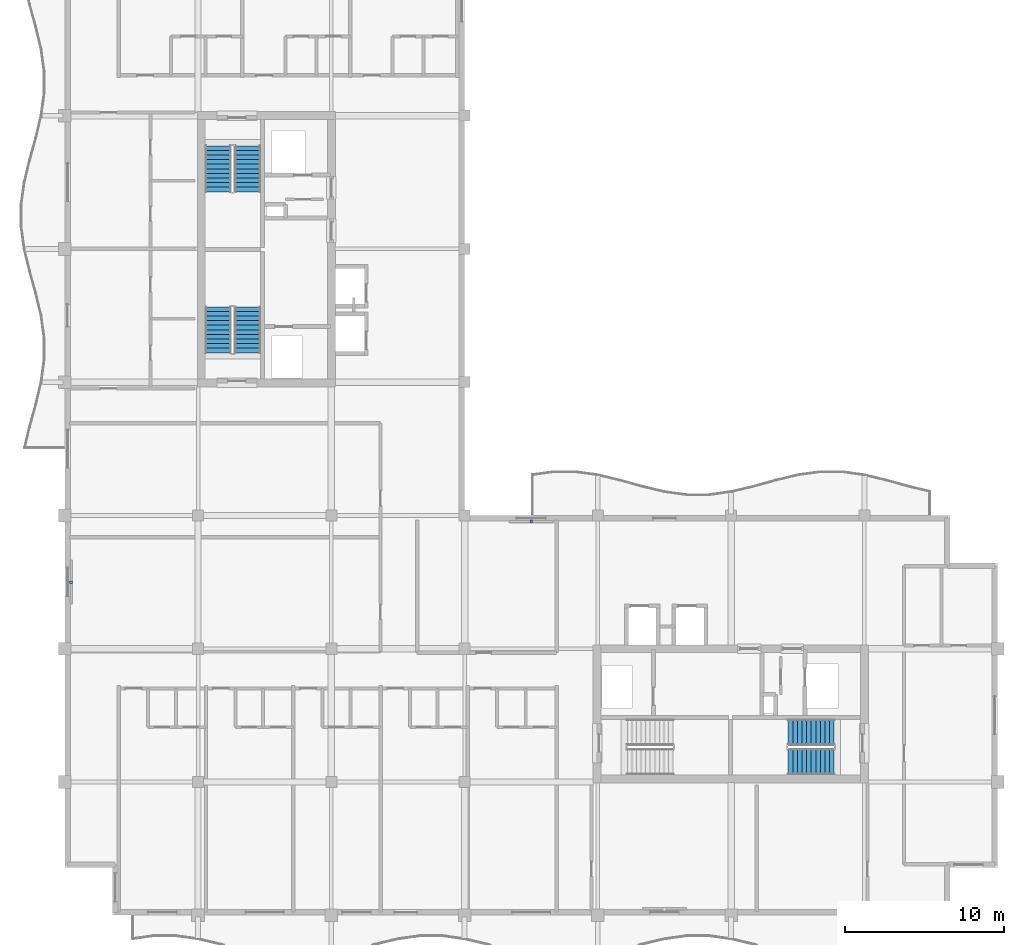
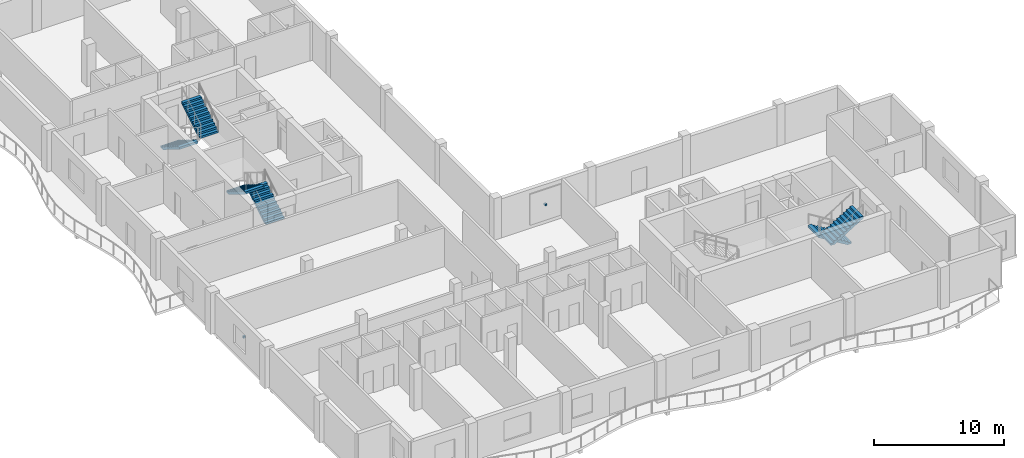
# One storey, part 8 of 12: 6 stair flights, 2 discrete accessories, 3 elements without a shape of their own.
"""IFC4 building model written with IfcOpenShell, lengths in metres."""

from ifc_helpers import new_model, si_unit, direction, frame, origin, origin_2d, place, context, subcontext, project, spatial, polyline, rectangle, outline, extrude, material, type_object, element, aggregate, save


model = new_model("IFC4")

# Units and contexts
model_context = context("Model", 3, precision=1e-05, world=origin(), true_north=direction((0.0, 1.0)))
body_context = subcontext(model_context, "Body", "Model", "MODEL_VIEW")
ifc_project = project(units=[si_unit("LENGTHUNIT", "METRE"), si_unit("AREAUNIT", "SQUARE_METRE"), si_unit("VOLUMEUNIT", "CUBIC_METRE"), si_unit("PLANEANGLEUNIT", "RADIAN"), si_unit("MASSUNIT", "GRAM", prefix="KILO")], contexts=[model_context])

# Site, building, storey
site_placement = place(None, origin())
site = spatial("IfcSite", under=ifc_project, at=site_placement, CompositionType="ELEMENT")
building_placement = place(site_placement, origin())
building = spatial("IfcBuilding", under=site, at=building_placement, Name="Koriwani Terraces Tower", CompositionType="ELEMENT")
storey_placement = place(building_placement, frame((0.0, 0.0, 351.5)))
storey = spatial("IfcBuildingStorey", under=building, at=storey_placement, Name="L87", CompositionType="ELEMENT", Elevation=351.5)

# Stair, stair flights
ifc_material_1 = material(Name="Concrete C40/50", Category="concrete")
stair_type = type_object("IfcStairType", Name="STAIR_CORE_DOGLEG_1650", PredefinedType="TWO_STRAIGHT_RUN_STAIR", material=ifc_material_1)
stair_1_placement = place(storey_placement, origin())
stair_1 = element("IfcStair", 1, at=stair_1_placement, inside=storey, type_object=stair_type, Name="L87 West Core Exit Stair 1", PredefinedType="HALF_TURN_STAIR")
stair_flight_type = type_object("IfcStairFlightType", Name="STAIR_FLIGHT_RC_1650", PredefinedType="STRAIGHT", material=ifc_material_1)
stair_flight_1_placement = place(storey_placement, frame((19.925048828125, 43.85009765625, 0.0), z_axis=(0.0, 0.0, 1.0), x_axis=(0.0, 1.0, 0.0)))
stair_flight_1 = element("IfcStairFlight", 2, at=stair_flight_1_placement, type_object=stair_flight_type, Name="ST-W1 flight 1", NumberOfRisers=11, NumberOfTreads=10, PredefinedType="STRAIGHT", RiserHeight=0.177272727, TreadLength=0.29, context=body_context, shape_type="SweptSolid", body=[
    extrude(outline(polyline([(0.0, 0.0), (0.0, 0.17724609375), (0.2900390625, 0.17724609375), (0.2900390625, 0.3544921875), (0.580078125, 0.3544921875), (0.580078125, 0.53173828125), (0.8701171875, 0.53173828125), (0.8701171875, 0.708984375), (1.159912109375, 0.708984375), (1.159912109375, 0.886474609375), (1.449951171875, 0.886474609375), (1.449951171875, 1.063720703125), (1.739990234375, 1.063720703125), (1.739990234375, 1.240966796875), (2.030029296875, 1.240966796875), (2.030029296875, 1.418212890625), (2.320068359375, 1.418212890625), (2.320068359375, 1.595458984375), (2.610107421875, 1.595458984375), (2.610107421875, 1.772705078125), (2.89990234375, 1.772705078125), (2.89990234375, 1.949951171875), (2.89990234375, 1.561767578125), (0.344970703125, 0.0), (0.0, 0.0)])), frame((0.0, 0.824951171875, 0.0), z_axis=(0.0, -1.0, 0.0), x_axis=(1.0, 0.0, 0.0)), (0.0, 0.0, 1.0), 1.64990234375),
])
stair_flight_2_placement = place(storey_placement, frame((18.074951171875, 46.75, 1.949951171875), z_axis=(0.0, 0.0, 1.0), x_axis=(0.0, -1.0, 0.0)))
stair_flight_2 = element("IfcStairFlight", 3, at=stair_flight_2_placement, type_object=stair_flight_type, Name="ST-W1 flight 2", NumberOfRisers=11, NumberOfTreads=10, PredefinedType="STRAIGHT", RiserHeight=0.177272727, TreadLength=0.29, context=body_context, shape_type="SweptSolid", body=[
    extrude(outline(polyline([(0.0, 0.0), (0.0, 0.17724609375), (0.2900390625, 0.17724609375), (0.2900390625, 0.3544921875), (0.580078125, 0.3544921875), (0.580078125, 0.53173828125), (0.8701171875, 0.53173828125), (0.8701171875, 0.708984375), (1.159912109375, 0.708984375), (1.159912109375, 0.886474609375), (1.449951171875, 0.886474609375), (1.449951171875, 1.063720703125), (1.739990234375, 1.063720703125), (1.739990234375, 1.240966796875), (2.030029296875, 1.240966796875), (2.030029296875, 1.418212890625), (2.320068359375, 1.418212890625), (2.320068359375, 1.595458984375), (2.610107421875, 1.595458984375), (2.610107421875, 1.772705078125), (2.89990234375, 1.772705078125), (2.89990234375, 1.949951171875), (2.89990234375, 1.561767578125), (0.344970703125, 0.0), (0.0, 0.0)])), frame((0.0, 0.824951171875, 0.0), z_axis=(0.0, -1.0, 0.0), x_axis=(1.0, 0.0, 0.0)), (0.0, 0.0, 1.0), 1.64990234375),
])
aggregate(stair_1, [stair_flight_1, stair_flight_2])

stair_2_placement = place(storey_placement, origin())
stair_2 = element("IfcStair", 4, at=stair_2_placement, inside=storey, type_object=stair_type, Name="L87 West Core Exit Stair 2", PredefinedType="HALF_TURN_STAIR")
stair_flight_3_placement = place(storey_placement, frame((18.074951171875, 56.89990234375, 0.0), z_axis=(0.0, 0.0, 1.0), x_axis=(0.0, -1.0, 0.0)))
stair_flight_3 = element("IfcStairFlight", 5, at=stair_flight_3_placement, type_object=stair_flight_type, Name="ST-W2 flight 1", NumberOfRisers=11, NumberOfTreads=10, PredefinedType="STRAIGHT", RiserHeight=0.177272727, TreadLength=0.29, context=body_context, shape_type="SweptSolid", body=[
    extrude(outline(polyline([(0.0, 0.0), (0.0, 0.17724609375), (0.2900390625, 0.17724609375), (0.2900390625, 0.3544921875), (0.580078125, 0.3544921875), (0.580078125, 0.53173828125), (0.8701171875, 0.53173828125), (0.8701171875, 0.708984375), (1.159912109375, 0.708984375), (1.159912109375, 0.886474609375), (1.449951171875, 0.886474609375), (1.449951171875, 1.063720703125), (1.739990234375, 1.063720703125), (1.739990234375, 1.240966796875), (2.030029296875, 1.240966796875), (2.030029296875, 1.418212890625), (2.320068359375, 1.418212890625), (2.320068359375, 1.595458984375), (2.610107421875, 1.595458984375), (2.610107421875, 1.772705078125), (2.89990234375, 1.772705078125), (2.89990234375, 1.949951171875), (2.89990234375, 1.561767578125), (0.344970703125, 0.0), (0.0, 0.0)])), frame((0.0, 0.824951171875, 0.0), z_axis=(0.0, -1.0, 0.0), x_axis=(1.0, 0.0, 0.0)), (0.0, 0.0, 1.0), 1.64990234375),
])
stair_flight_4_placement = place(storey_placement, frame((19.925048828125, 54.0, 1.949951171875), z_axis=(0.0, 0.0, 1.0), x_axis=(0.0, 1.0, 0.0)))
stair_flight_4 = element("IfcStairFlight", 6, at=stair_flight_4_placement, type_object=stair_flight_type, Name="ST-W2 flight 2", NumberOfRisers=11, NumberOfTreads=10, PredefinedType="STRAIGHT", RiserHeight=0.177272727, TreadLength=0.29, context=body_context, shape_type="SweptSolid", body=[
    extrude(outline(polyline([(0.0, 0.0), (0.0, 0.17724609375), (0.2900390625, 0.17724609375), (0.2900390625, 0.3544921875), (0.580078125, 0.3544921875), (0.580078125, 0.53173828125), (0.8701171875, 0.53173828125), (0.8701171875, 0.708984375), (1.159912109375, 0.708984375), (1.159912109375, 0.886474609375), (1.449951171875, 0.886474609375), (1.449951171875, 1.063720703125), (1.739990234375, 1.063720703125), (1.739990234375, 1.240966796875), (2.030029296875, 1.240966796875), (2.030029296875, 1.418212890625), (2.320068359375, 1.418212890625), (2.320068359375, 1.595458984375), (2.610107421875, 1.595458984375), (2.610107421875, 1.772705078125), (2.89990234375, 1.772705078125), (2.89990234375, 1.949951171875), (2.89990234375, 1.561767578125), (0.344970703125, 0.0), (0.0, 0.0)])), frame((0.0, 0.824951171875, 0.0), z_axis=(0.0, -1.0, 0.0), x_axis=(1.0, 0.0, 0.0)), (0.0, 0.0, 1.0), 1.64990234375),
])
aggregate(stair_2, [stair_flight_3, stair_flight_4])

stair_3_placement = place(storey_placement, origin())
stair_3 = element("IfcStair", 7, at=stair_3_placement, inside=storey, type_object=stair_type, Name="L87 East Core Exit Stair 2", PredefinedType="HALF_TURN_STAIR")
stair_flight_5_placement = place(storey_placement, frame((56.89990234375, 19.925048828125, 0.0), z_axis=(0.0, 0.0, 1.0), x_axis=(-1.0, 0.0, 0.0)))
stair_flight_5 = element("IfcStairFlight", 8, at=stair_flight_5_placement, type_object=stair_flight_type, Name="ST-E2 flight 1", NumberOfRisers=11, NumberOfTreads=10, PredefinedType="STRAIGHT", RiserHeight=0.177272727, TreadLength=0.29, context=body_context, shape_type="SweptSolid", body=[
    extrude(outline(polyline([(0.0, 0.0), (0.0, 0.17724609375), (0.2900390625, 0.17724609375), (0.2900390625, 0.3544921875), (0.580078125, 0.3544921875), (0.580078125, 0.53173828125), (0.8701171875, 0.53173828125), (0.8701171875, 0.708984375), (1.159912109375, 0.708984375), (1.159912109375, 0.886474609375), (1.449951171875, 0.886474609375), (1.449951171875, 1.063720703125), (1.739990234375, 1.063720703125), (1.739990234375, 1.240966796875), (2.030029296875, 1.240966796875), (2.030029296875, 1.418212890625), (2.320068359375, 1.418212890625), (2.320068359375, 1.595458984375), (2.610107421875, 1.595458984375), (2.610107421875, 1.772705078125), (2.89990234375, 1.772705078125), (2.89990234375, 1.949951171875), (2.89990234375, 1.561767578125), (0.344970703125, 0.0), (0.0, 0.0)])), frame((0.0, 0.824951171875, 0.0), z_axis=(0.0, -1.0, 0.0), x_axis=(1.0, 0.0, 0.0)), (0.0, 0.0, 1.0), 1.64990234375),
])
stair_flight_6_placement = place(storey_placement, frame((54.0, 18.074951171875, 1.949951171875), z_axis=(0.0, 0.0, 1.0), x_axis=(1.0, 0.0, 0.0)))
stair_flight_6 = element("IfcStairFlight", 9, at=stair_flight_6_placement, type_object=stair_flight_type, Name="ST-E2 flight 2", NumberOfRisers=11, NumberOfTreads=10, PredefinedType="STRAIGHT", RiserHeight=0.177272727, TreadLength=0.29, context=body_context, shape_type="SweptSolid", body=[
    extrude(outline(polyline([(0.0, 0.0), (0.0, 0.17724609375), (0.2900390625, 0.17724609375), (0.2900390625, 0.3544921875), (0.580078125, 0.3544921875), (0.580078125, 0.53173828125), (0.8701171875, 0.53173828125), (0.8701171875, 0.708984375), (1.159912109375, 0.708984375), (1.159912109375, 0.886474609375), (1.449951171875, 0.886474609375), (1.449951171875, 1.063720703125), (1.739990234375, 1.063720703125), (1.739990234375, 1.240966796875), (2.030029296875, 1.240966796875), (2.030029296875, 1.418212890625), (2.320068359375, 1.418212890625), (2.320068359375, 1.595458984375), (2.610107421875, 1.595458984375), (2.610107421875, 1.772705078125), (2.89990234375, 1.772705078125), (2.89990234375, 1.949951171875), (2.89990234375, 1.561767578125), (0.344970703125, 0.0), (0.0, 0.0)])), frame((0.0, 0.824951171875, 0.0), z_axis=(0.0, -1.0, 0.0), x_axis=(1.0, 0.0, 0.0)), (0.0, 0.0, 1.0), 1.64990234375),
])
aggregate(stair_3, [stair_flight_5, stair_flight_6])

# Discrete accessories
ifc_material_2 = material(Name="Steel ASTM A572 Grade 50", Category="steel")
discrete_accessory_type = type_object("IfcDiscreteAccessoryType", Name="BAGUETTE_STANDOFF_BRACKET", PredefinedType="BRACKET", material=ifc_material_2)
for number, where, z_axis, x_axis, name in (
    (10, (8.7900390625, 29.39990234375, 1.7451171875), (0.0, 0.0, 1.0), (0.0, 1.0, 0.0), "L87 Terracotta Baguette Bracket (W-6)"),
    (11, (37.800048828125, 33.2099609375, 1.7451171875), (0.0, 0.0, 1.0), (1.0, 0.0, 0.0), "L87 Terracotta Baguette Bracket (NE-2)"),
):
    element("IfcDiscreteAccessory", number, at=place(storey_placement, frame(where, z_axis=z_axis, x_axis=x_axis)), inside=storey, type_object=discrete_accessory_type, Name=name, PredefinedType="BRACKET", context=body_context, shape_type="SweptSolid", body=[
        extrude(rectangle(XDim=0.159912109375, YDim=0.199951171875, at=origin_2d()), origin(), (0.0, 0.0, 1.0), 0.179931640625),
    ])

save(model, "model.ifc")
